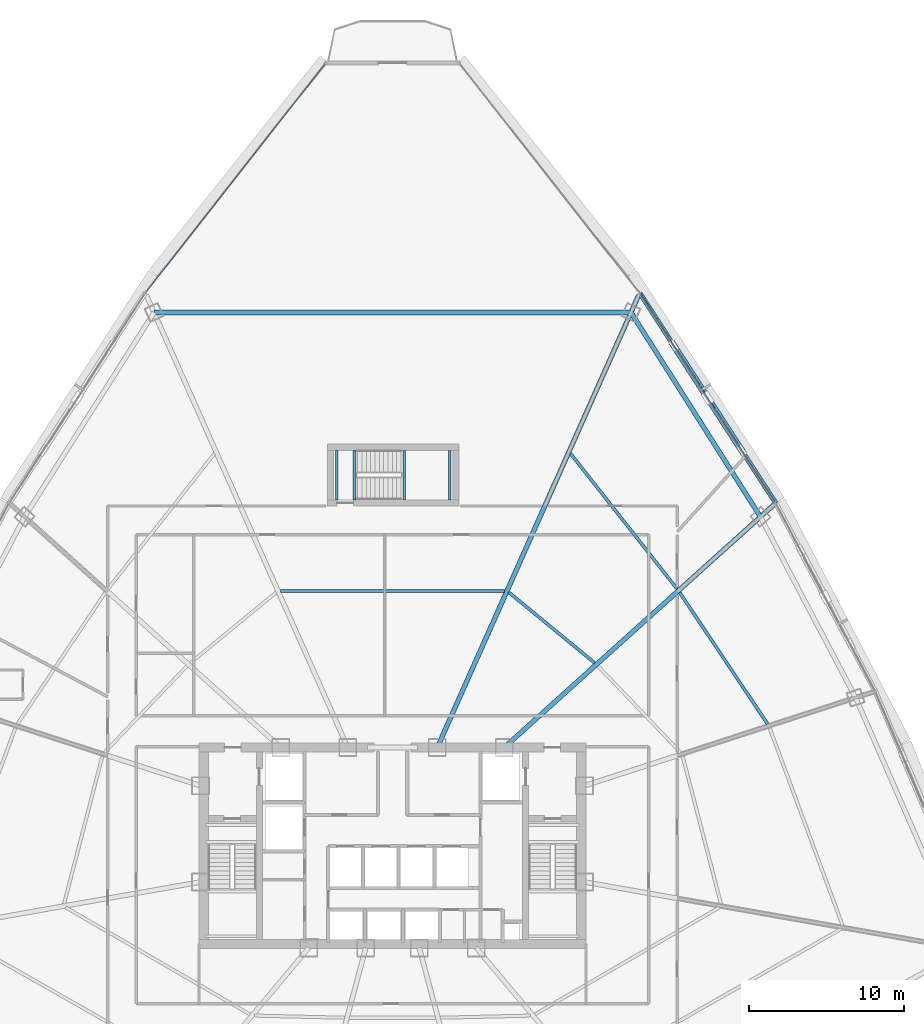
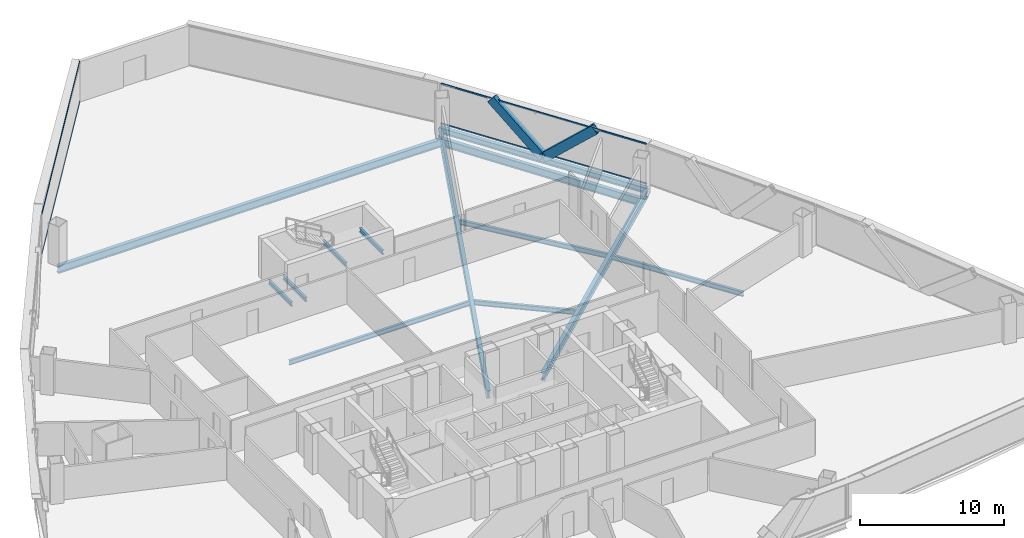
# One storey, part 21 of 42: 13 beams, 6 members, 2 elements without a shape of their own.
"""IFC4 building model written with IfcOpenShell, lengths in metres."""

from ifc_helpers import new_model, si_unit, direction, frame, origin, origin_2d, place, context, subcontext, project, spatial, hollow_rectangle, i_section, extrude, source, transform, mapped, material, layer, layer_set, material_profile, profile_set, type_object, element, aggregate, save


model = new_model("IFC4")

# Units and contexts
model_context = context("Model", 3, precision=1e-05, world=origin(), true_north=direction((0.0, 1.0)))
body_context = subcontext(model_context, "Body", "Model", "MODEL_VIEW")
ifc_project = project(units=[si_unit("LENGTHUNIT", "METRE"), si_unit("AREAUNIT", "SQUARE_METRE"), si_unit("VOLUMEUNIT", "CUBIC_METRE"), si_unit("PLANEANGLEUNIT", "RADIAN"), si_unit("MASSUNIT", "GRAM", prefix="KILO"), si_unit("THERMODYNAMICTEMPERATUREUNIT", "KELVIN"), si_unit("POWERUNIT", "WATT")], contexts=[model_context])

# Site, building, storey
site_placement = place(None, origin())
site = spatial("IfcSite", under=ifc_project, at=site_placement, CompositionType="ELEMENT")
building_placement = place(site_placement, origin())
building = spatial("IfcBuilding", under=site, at=building_placement, Name="Yunzhuo Pagoda Commons", CompositionType="ELEMENT")
storey_placement = place(building_placement, frame((0.0, 0.0, 151.909912109375)))
storey = spatial("IfcBuildingStorey", under=building, at=storey_placement, Name="L38", CompositionType="ELEMENT", Elevation=151.909912109375)

# Beams
ifc_material_1 = material(Name="Structural steel Q355B", Category="steel")
ifc_material_profile_1 = material_profile(ifc_material_1, i_section(OverallWidth=0.175048828125, OverallDepth=0.35009765625, WebThickness=0.007080078125, FlangeThickness=0.010986328125, at=origin_2d()), Name="Structural steel Q355B")
ifc_profile_set_1 = profile_set([ifc_material_profile_1], Name="Structural steel Q355B")
beam_type_1 = type_object("IfcBeamType", Name="B-JS2 Joist HN 350x175x7x11", PredefinedType="JOIST", material=ifc_profile_set_1)
shared_shape_1 = source(origin(), body_context, "Body", "SweptSolid", [
    extrude(i_section(OverallWidth=0.175048828125, OverallDepth=0.35009765625, WebThickness=0.007080078125, FlangeThickness=0.010986328125, at=origin_2d()), origin(), (0.0, 0.0, 1.0), 3.199951171875),
])
for number, where, z_axis, x_axis, name in (
    (1, (48.75, 56.199951171875, 1.465087890625), (0.0, 1.0, 0.0), (-1.0, 0.0, 0.0), "L38 ST3 landing support beam 44A"),
    (2, (51.699951171875, 56.199951171875, 1.465087890625), (0.0, 1.0, 0.0), (-1.0, 0.0, 0.0), "L38 ST3 landing support beam 44B"),
    (3, (44.39990234375, 56.199951171875, -0.375), (0.0, 1.0, 0.0), (-1.0, 0.0, 0.0), "L38 ST3 landing support beam 112A"),
    (4, (45.550048828125, 56.199951171875, -0.375), (0.0, 1.0, 0.0), (-1.0, 0.0, 0.0), "L38 ST3 landing support beam 112B"),
):
    element("IfcBeam", number, at=place(storey_placement, frame(where, z_axis=z_axis, x_axis=x_axis)), inside=storey, type_object=beam_type_1, Name=name, PredefinedType="JOIST", context=body_context, shape_type="MappedRepresentation", body=[
        mapped(shared_shape_1, transform((0.0, 0.0, 0.0), scale=1.0)),
    ])
ifc_material_profile_2 = material_profile(ifc_material_1, i_section(OverallWidth=0.199951171875, OverallDepth=0.39990234375, WebThickness=0.008056640625, FlangeThickness=0.012939453125, at=origin_2d()), Name="Structural steel Q355B")
ifc_profile_set_2 = profile_set([ifc_material_profile_2], Name="Structural steel Q355B")
beam_type_2 = type_object("IfcBeamType", Name="B-JS1 Joist HN 400x200x8x13", PredefinedType="JOIST", material=ifc_profile_set_2)
shared_shape_2 = source(origin(), body_context, "Body", "SweptSolid", [
    extrude(i_section(OverallWidth=0.199951171875, OverallDepth=0.39990234375, WebThickness=0.008056640625, FlangeThickness=0.012939453125, at=origin_2d()), origin(), (0.0, 0.0, 1.0), 10.186767578125),
])
beam_1_placement = place(storey_placement, frame((72.221923828125, 41.731201171875, -0.4599609375), z_axis=(-0.555872145938, 0.831267801235, 0.0), x_axis=(-0.831267801235, -0.555872145938, 0.0)))
element("IfcBeam", 5, at=beam_1_placement, inside=storey, type_object=beam_type_2, Name="L38 composite ring joist 2.6", PredefinedType="JOIST", context=body_context, shape_type="MappedRepresentation", body=[
    mapped(shared_shape_2, transform((0.0, 0.0, 0.0), scale=1.0)),
])
ifc_material_profile_3 = material_profile(ifc_material_1, i_section(OverallWidth=0.300048828125, OverallDepth=0.64990234375, WebThickness=0.012939453125, FlangeThickness=0.02197265625, at=origin_2d()), Name="Structural steel Q355B")
ifc_profile_set_3 = profile_set([ifc_material_profile_3], Name="Structural steel Q355B")
beam_type_3 = type_object("IfcBeamType", Name="B-RG2 Beam HN 650x300x13x22", PredefinedType="BEAM", material=ifc_profile_set_3)
shared_shape_3 = source(origin(), body_context, "Body", "SweptSolid", [
    extrude(i_section(OverallWidth=0.300048828125, OverallDepth=0.64990234375, WebThickness=0.012939453125, FlangeThickness=0.02197265625, at=origin_2d()), origin(), (0.0, 0.0, 1.0), 15.627685546875),
])
beam_2_placement = place(storey_placement, frame((71.76611328125, 55.09912109375, -0.5849609375), z_axis=(-0.534952471728, 0.844882153316, 0.0), x_axis=(-0.844882153316, -0.534952471728, 0.0)))
element("IfcBeam", 6, at=beam_2_placement, inside=storey, type_object=beam_type_3, Name="L38 column-ring beam 7", PredefinedType="BEAM", context=body_context, shape_type="MappedRepresentation", body=[
    mapped(shared_shape_3, transform((0.0, 0.0, 0.0), scale=1.0)),
])
shared_shape_4 = source(origin(), body_context, "Body", "SweptSolid", [
    extrude(i_section(OverallWidth=0.199951171875, OverallDepth=0.39990234375, WebThickness=0.008056640625, FlangeThickness=0.012939453125, at=origin_2d()), origin(), (0.0, 0.0, 1.0), 7.163818359375),
])
beam_3_placement = place(storey_placement, frame((61.05322265625, 45.664794921875, -0.4599609375), z_axis=(-0.772234119563, 0.635338071095, 0.0), x_axis=(-0.635338071095, -0.772234119563, 0.0)))
element("IfcBeam", 7, at=beam_3_placement, inside=storey, type_object=beam_type_2, Name="L38 composite ring joist 1.7", PredefinedType="JOIST", context=body_context, shape_type="MappedRepresentation", body=[
    mapped(shared_shape_4, transform((0.0, 0.0, 0.0), scale=1.0)),
])
shared_shape_5 = source(origin(), body_context, "Body", "SweptSolid", [
    extrude(i_section(OverallWidth=0.199951171875, OverallDepth=0.39990234375, WebThickness=0.008056640625, FlangeThickness=0.012939453125, at=origin_2d()), origin(), (0.0, 0.0, 1.0), 11.109375),
])
beam_4_placement = place(storey_placement, frame((66.372802734375, 50.456298828125, -0.4599609375), z_axis=(-0.618600596935, 0.785705607382, 0.0), x_axis=(-0.785705607382, -0.618600596935, 0.0)))
element("IfcBeam", 8, at=beam_4_placement, inside=storey, type_object=beam_type_2, Name="L38 composite ring joist 2.7", PredefinedType="JOIST", context=body_context, shape_type="MappedRepresentation", body=[
    mapped(shared_shape_5, transform((0.0, 0.0, 0.0), scale=1.0)),
])
shared_shape_6 = source(origin(), body_context, "Body", "SweptSolid", [
    extrude(i_section(OverallWidth=0.300048828125, OverallDepth=0.64990234375, WebThickness=0.012939453125, FlangeThickness=0.02197265625, at=origin_2d()), origin(), (0.0, 0.0, 1.0), 30.81201171875),
])
beam_5_placement = place(storey_placement, frame((63.406005859375, 68.302734375, -0.5849609375), z_axis=(-1.0, 0.0, 0.0), x_axis=(0.0, -1.0, 0.0)))
element("IfcBeam", 9, at=beam_5_placement, inside=storey, type_object=beam_type_3, Name="L38 column-ring beam 8", PredefinedType="BEAM", context=body_context, shape_type="MappedRepresentation", body=[
    mapped(shared_shape_6, transform((0.0, 0.0, 0.0), scale=1.0)),
])
shared_shape_7 = source(origin(), body_context, "Body", "SweptSolid", [
    extrude(i_section(OverallWidth=0.199951171875, OverallDepth=0.39990234375, WebThickness=0.008056640625, FlangeThickness=0.012939453125, at=origin_2d()), origin(), (0.0, 0.0, 1.0), 14.47900390625),
])
beam_6_placement = place(storey_placement, frame((55.239501953125, 50.317138671875, -0.4599609375), z_axis=(-1.0, 0.0, 0.0), x_axis=(0.0, -1.0, 0.0)))
element("IfcBeam", 10, at=beam_6_placement, inside=storey, type_object=beam_type_2, Name="L38 composite ring joist 1.8", PredefinedType="JOIST", context=body_context, shape_type="MappedRepresentation", body=[
    mapped(shared_shape_7, transform((0.0, 0.0, 0.0), scale=1.0)),
])
shared_shape_8 = source(origin(), body_context, "Body", "SweptSolid", [
    extrude(i_section(OverallWidth=0.300048828125, OverallDepth=0.64990234375, WebThickness=0.012939453125, FlangeThickness=0.02197265625, at=origin_2d()), origin(), (0.0, 0.0, 1.0), 23.44287109375),
])
beam_7_placement = place(storey_placement, frame((72.640380859375, 55.886474609375, -0.5849609375), z_axis=(-0.743139811502, -0.669136174901, 0.0), x_axis=(0.669136174901, -0.743139811502, 0.0)))
element("IfcBeam", 11, at=beam_7_placement, inside=storey, type_object=beam_type_3, Name="L38 radial floor girder F2C3", PredefinedType="BEAM", context=body_context, shape_type="MappedRepresentation", body=[
    mapped(shared_shape_8, transform((0.0, 0.0, 0.0), scale=1.0)),
])
shared_shape_9 = source(origin(), body_context, "Body", "SweptSolid", [
    extrude(i_section(OverallWidth=0.300048828125, OverallDepth=0.64990234375, WebThickness=0.012939453125, FlangeThickness=0.02197265625, at=origin_2d()), origin(), (0.0, 0.0, 1.0), 31.986328125),
])
beam_8_placement = place(storey_placement, frame((63.904052734375, 69.4208984375, -0.5849609375), z_axis=(-0.406736795216, -0.913545389905, 0.0), x_axis=(0.913545389905, -0.406736795216, 0.0)))
element("IfcBeam", 12, at=beam_8_placement, inside=storey, type_object=beam_type_3, Name="L38 radial floor girder F2C4", PredefinedType="BEAM", context=body_context, shape_type="MappedRepresentation", body=[
    mapped(shared_shape_9, transform((0.0, 0.0, 0.0), scale=1.0)),
])
ifc_material_profile_4 = material_profile(ifc_material_1, i_section(OverallWidth=0.300048828125, OverallDepth=0.488037109375, WebThickness=0.010986328125, FlangeThickness=0.01806640625, at=origin_2d()), Name="Structural steel Q355B")
ifc_profile_set_4 = profile_set([ifc_material_profile_4], Name="Structural steel Q355B")
beam_type_4 = type_object("IfcBeamType", Name="B-SP1 Beam HM 488x300x11x18", PredefinedType="BEAM", material=ifc_profile_set_4)
shared_shape_10 = source(origin(), body_context, "Body", "SweptSolid", [
    extrude(i_section(OverallWidth=0.300048828125, OverallDepth=0.488037109375, WebThickness=0.010986328125, FlangeThickness=0.01806640625, at=origin_2d()), origin(), (0.0, 0.0, 1.0), 16.16943359375),
])
beam_9_placement = place(storey_placement, frame((72.755615234375, 55.989990234375, -0.50390625), z_axis=(-0.543528588708, 0.839390655927, 0.0), x_axis=(-0.839390655927, -0.543528588708, 0.0)))
element("IfcBeam", 13, at=beam_9_placement, inside=storey, type_object=beam_type_4, Name="L38 facade edge spandrel beam F2.3", PredefinedType="BEAM", context=body_context, shape_type="MappedRepresentation", body=[
    mapped(shared_shape_10, transform((0.0, 0.0, 0.0), scale=1.0)),
])

# Members
ifc_material_profile_5 = material_profile(ifc_material_1, hollow_rectangle(XDim=0.39990234375, YDim=0.719970703125, WallThickness=0.02392578125, at=origin_2d()), Name="Structural steel Q355B")
ifc_profile_set_5 = profile_set([ifc_material_profile_5], Name="Structural steel Q355B")
member_type_1 = type_object("IfcMemberType", Name="M-DL2 Brace BOX 720x400x24", PredefinedType="BRACE", material=ifc_profile_set_5)
shared_shape_11 = source(origin(), body_context, "Body", "SweptSolid", [
    extrude(hollow_rectangle(XDim=0.39990234375, YDim=0.719970703125, WallThickness=0.02392578125, at=origin_2d()), origin(), (0.0, 0.0, 1.0), 5.466796875),
])
member_1_placement = place(storey_placement, frame((68.361083984375, 62.7763671875, -0.260009765625), z_axis=(0.401926850427, -0.620709032677, 0.673182815927), x_axis=(0.839390260424, 0.543529199497, 0.0)))
element("IfcMember", 14, at=member_1_placement, inside=storey, type_object=member_type_1, Name="L38 facade diamond brace F2.3L", PredefinedType="BRACE", context=body_context, shape_type="MappedRepresentation", body=[
    mapped(shared_shape_11, transform((0.0, 0.0, 0.0), scale=1.0)),
])
shared_shape_12 = source(origin(), body_context, "Body", "SweptSolid", [
    extrude(hollow_rectangle(XDim=0.39990234375, YDim=0.719970703125, WallThickness=0.02392578125, at=origin_2d()), origin(), (0.0, 0.0, 1.0), 5.466552734375),
])
member_2_placement = place(storey_placement, frame((68.361083984375, 62.7763671875, -0.260009765625), z_axis=(-0.401863098243, 0.62070386079, 0.673225643801), x_axis=(-0.839427527283, -0.543471642718, 0.0)))
element("IfcMember", 15, at=member_2_placement, inside=storey, type_object=member_type_1, Name="L38 facade diamond brace F2.3R", PredefinedType="BRACE", context=body_context, shape_type="MappedRepresentation", body=[
    mapped(shared_shape_12, transform((0.0, 0.0, 0.0), scale=1.0)),
])

# Curtain wall, members
ifc_material_2 = material(Name="Anodized aluminium 6063-T6", Category="aluminium")
ifc_layer = layer(ifc_material_2, 0.14990234375)
ifc_layer_set = layer_set([ifc_layer], Name="Anodized aluminium 6063-T6")
curtain_wall_type = type_object("IfcCurtainWallType", Name="CW-MID Mid-Zone Ribbon Curtain Wall", PredefinedType="NOTDEFINED", material=ifc_layer_set)
curtain_wall_1_placement = place(storey_placement, origin())
curtain_wall_1 = element("IfcCurtainWall", 16, at=curtain_wall_1_placement, inside=storey, type_object=curtain_wall_type, Name="L38 curtain wall CW-L38-F2B4", PredefinedType="NOTDEFINED")
ifc_material_profile_6 = material_profile(ifc_material_2, hollow_rectangle(XDim=0.054931640625, YDim=0.1298828125, WallThickness=0.00341796875, at=origin_2d()), Name="Anodized aluminium 6063-T6")
ifc_profile_set_6 = profile_set([ifc_material_profile_6], Name="Anodized aluminium 6063-T6")
member_type_2 = type_object("IfcMemberType", Name="CW-MID-T Transom RHS 130x55x3.5", PredefinedType="USERDEFINED", material=ifc_profile_set_6)
shared_shape_13 = source(origin(), body_context, "Body", "SweptSolid", [
    extrude(hollow_rectangle(XDim=0.054931640625, YDim=0.1298828125, WallThickness=0.00341796875, at=origin_2d()), origin(), (0.0, 0.0, 1.0), 16.049560546875),
])
member_3_placement = place(storey_placement, frame((72.722900390625, 56.040283203125, 0.027587890625), z_axis=(-0.543526245349, 0.839392173312, 0.0), x_axis=(-0.839392173312, -0.543526245349, 0.0)))
member_3 = element("IfcMember", 17, at=member_3_placement, type_object=member_type_2, Name="CW transom 1.1", ObjectType="TRANSOM", PredefinedType="USERDEFINED", context=body_context, shape_type="MappedRepresentation", body=[
    mapped(shared_shape_13, transform((0.0, 0.0, 0.0), scale=1.0)),
])
member_4_placement = place(storey_placement, frame((72.722900390625, 56.040283203125, 3.392578125), z_axis=(-0.543526245349, 0.839392173312, 0.0), x_axis=(-0.839392173312, -0.543526245349, 0.0)))
member_4 = element("IfcMember", 18, at=member_4_placement, type_object=member_type_2, Name="CW transom 1.2", ObjectType="TRANSOM", PredefinedType="USERDEFINED", context=body_context, shape_type="MappedRepresentation", body=[
    mapped(shared_shape_13, transform((0.0, 0.0, 0.0), scale=1.0)),
])
aggregate(curtain_wall_1, [member_3, member_4])

curtain_wall_2_placement = place(storey_placement, origin())
curtain_wall_2 = element("IfcCurtainWall", 19, at=curtain_wall_2_placement, inside=storey, type_object=curtain_wall_type, Name="L38 curtain wall CW-L38-F3B1", PredefinedType="NOTDEFINED")
shared_shape_14 = source(origin(), body_context, "Body", "SweptSolid", [
    extrude(hollow_rectangle(XDim=0.054931640625, YDim=0.1298828125, WallThickness=0.00341796875, at=origin_2d()), origin(), (0.0, 0.0, 1.0), 18.6806640625),
])
member_5_placement = place(storey_placement, frame((43.647216796875, 84.365966796875, 0.027587890625), z_axis=(-0.61725574956, -0.786762568781, 0.0), x_axis=(0.786762568781, -0.61725574956, 0.0)))
member_5 = element("IfcMember", 20, at=member_5_placement, type_object=member_type_2, Name="CW transom 1.1", ObjectType="TRANSOM", PredefinedType="USERDEFINED", context=body_context, shape_type="MappedRepresentation", body=[
    mapped(shared_shape_14, transform((0.0, 0.0, 0.0), scale=1.0)),
])
member_6_placement = place(storey_placement, frame((43.647216796875, 84.365966796875, 3.392578125), z_axis=(-0.61725574956, -0.786762568781, 0.0), x_axis=(0.786762568781, -0.61725574956, 0.0)))
member_6 = element("IfcMember", 21, at=member_6_placement, type_object=member_type_2, Name="CW transom 1.2", ObjectType="TRANSOM", PredefinedType="USERDEFINED", context=body_context, shape_type="MappedRepresentation", body=[
    mapped(shared_shape_14, transform((0.0, 0.0, 0.0), scale=1.0)),
])
aggregate(curtain_wall_2, [member_5, member_6])

save(model, "model.ifc")
